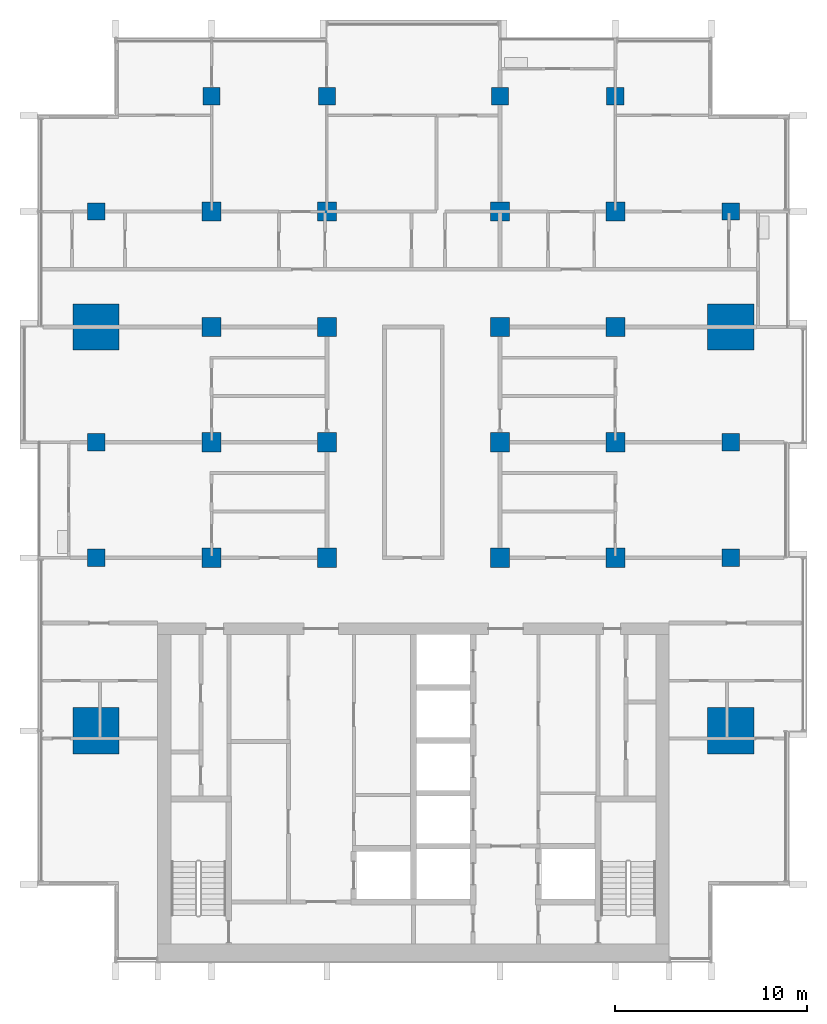
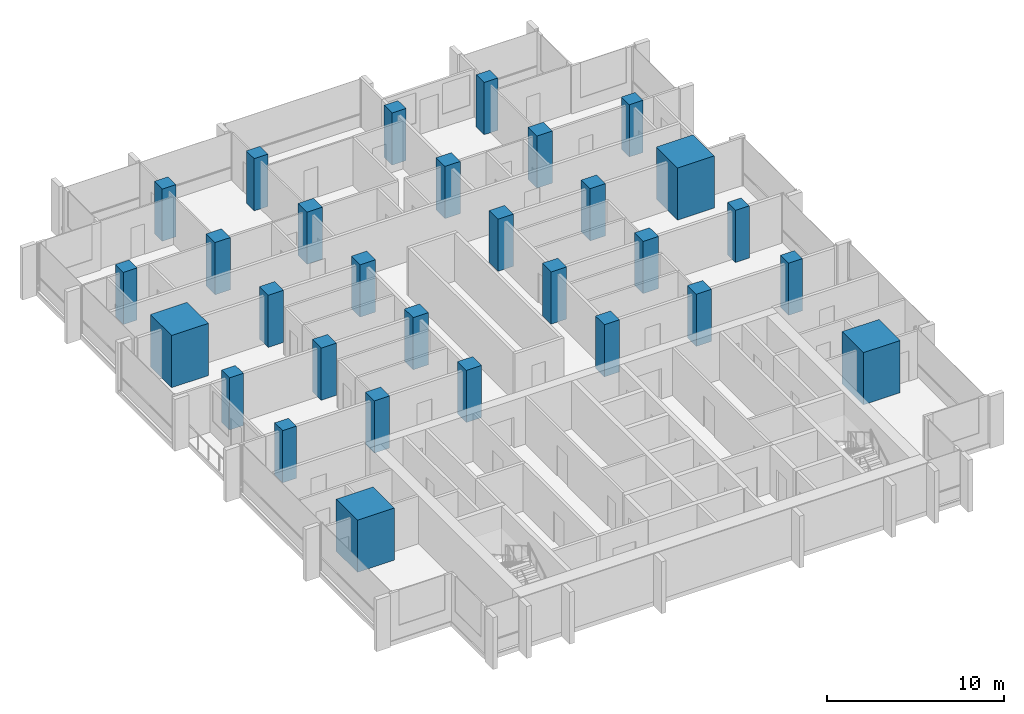
# One storey, part 1 of 16: 30 columns.
"""IFC4 building model written with IfcOpenShell, lengths in metres."""

from ifc_helpers import new_model, si_unit, direction, frame, origin, origin_2d, place, context, subcontext, project, spatial, rectangle, extrude, material, material_profile, profile_set, type_object, element, save


model = new_model("IFC4")

# Units and contexts
model_context = context("Model", 3, precision=1e-05, world=origin(), true_north=direction((0.0, 1.0)))
body_context = subcontext(model_context, "Body", "Model", "MODEL_VIEW")
ifc_project = project(units=[si_unit("LENGTHUNIT", "METRE"), si_unit("AREAUNIT", "SQUARE_METRE"), si_unit("VOLUMEUNIT", "CUBIC_METRE"), si_unit("PLANEANGLEUNIT", "RADIAN"), si_unit("MASSUNIT", "GRAM", prefix="KILO")], contexts=[model_context])

# Site, building, storey
site_placement = place(None, origin())
site = spatial("IfcSite", under=ifc_project, at=site_placement, CompositionType="ELEMENT")
building_placement = place(site_placement, origin())
building = spatial("IfcBuilding", under=site, at=building_placement, Name="Finial Court Residences", CompositionType="ELEMENT")
storey_placement = place(building_placement, frame((0.0, 0.0, 178.10009765625)))
storey = spatial("IfcBuildingStorey", under=building, at=storey_placement, Name="L44", CompositionType="ELEMENT", Elevation=178.10009765625)

# Columns
ifc_material = material(Name="Concrete C60/75", Category="concrete")
ifc_material_profile_1 = material_profile(ifc_material, rectangle(XDim=1.0, YDim=1.0, at=origin_2d()), Name="1000x1000")
ifc_profile_set_1 = profile_set([ifc_material_profile_1], Name="Concrete C60/75")
column_type_1 = type_object("IfcColumnType", Name="Interior column 1000x1000 Concrete C60/75", PredefinedType="COLUMN", material=ifc_profile_set_1)
for number, where, z_axis, x_axis, name in (
    (1, (-10.5, -4.5, 0.0), (0.0, 0.0, 1.0), (1.0, 0.0, 0.0), "S:COL:L44:D4"),
    (2, (-10.5, 1.5, 0.0), (0.0, 0.0, 1.0), (1.0, 0.0, 0.0), "S:COL:L44:D5"),
    (3, (-10.5, 7.5, 0.0), (0.0, 0.0, 1.0), (1.0, 0.0, 0.0), "S:COL:L44:D6"),
    (4, (-10.5, 13.5, 0.0), (0.0, 0.0, 1.0), (1.0, 0.0, 0.0), "S:COL:L44:D7"),
    (5, (-4.5, -4.5, 0.0), (0.0, 0.0, 1.0), (1.0, 0.0, 0.0), "S:COL:L44:E4"),
    (6, (-4.5, 1.5, 0.0), (0.0, 0.0, 1.0), (1.0, 0.0, 0.0), "S:COL:L44:E5"),
    (7, (-4.5, 7.5, 0.0), (0.0, 0.0, 1.0), (1.0, 0.0, 0.0), "S:COL:L44:E6"),
    (8, (-4.5, 13.5, 0.0), (0.0, 0.0, 1.0), (1.0, 0.0, 0.0), "S:COL:L44:E7"),
    (9, (4.5, -4.5, 0.0), (0.0, 0.0, 1.0), (1.0, 0.0, 0.0), "S:COL:L44:F4"),
    (10, (4.5, 1.5, 0.0), (0.0, 0.0, 1.0), (1.0, 0.0, 0.0), "S:COL:L44:F5"),
    (11, (4.5, 7.5, 0.0), (0.0, 0.0, 1.0), (1.0, 0.0, 0.0), "S:COL:L44:F6"),
    (12, (4.5, 13.5, 0.0), (0.0, 0.0, 1.0), (1.0, 0.0, 0.0), "S:COL:L44:F7"),
    (13, (10.5, -4.5, 0.0), (0.0, 0.0, 1.0), (1.0, 0.0, 0.0), "S:COL:L44:G4"),
    (14, (10.5, 1.5, 0.0), (0.0, 0.0, 1.0), (1.0, 0.0, 0.0), "S:COL:L44:G5"),
    (15, (10.5, 7.5, 0.0), (0.0, 0.0, 1.0), (1.0, 0.0, 0.0), "S:COL:L44:G6"),
    (16, (10.5, 13.5, 0.0), (0.0, 0.0, 1.0), (1.0, 0.0, 0.0), "S:COL:L44:G7"),
):
    element("IfcColumn", number, at=place(storey_placement, frame(where, z_axis=z_axis, x_axis=x_axis)), inside=storey, type_object=column_type_1, Name=name, PredefinedType="COLUMN", context=body_context, shape_type="SweptSolid", body=[
        extrude(rectangle(XDim=1.0, YDim=1.0, at=origin_2d()), origin(), (0.0, 0.0, 1.0), 3.599853515625),
    ])
ifc_material_profile_2 = material_profile(ifc_material, rectangle(XDim=2.39990234375, YDim=2.39990234375, at=origin_2d()), Name="2400x2400")
ifc_profile_set_2 = profile_set([ifc_material_profile_2], Name="Concrete C60/75")
column_type_2 = type_object("IfcColumnType", Name="Mega column 2400x2400 Concrete C60/75", PredefinedType="COLUMN", material=ifc_profile_set_2)
for number, where, z_axis, x_axis, name in (
    (17, (-16.5, -13.5, 0.0), (0.0, 0.0, 1.0), (1.0, 0.0, 0.0), "S:COL:L44:C3"),
    (18, (-16.5, 7.5, 0.0), (0.0, 0.0, 1.0), (1.0, 0.0, 0.0), "S:COL:L44:C6"),
    (19, (16.5, -13.5, 0.0), (0.0, 0.0, 1.0), (1.0, 0.0, 0.0), "S:COL:L44:H3"),
    (20, (16.5, 7.5, 0.0), (0.0, 0.0, 1.0), (1.0, 0.0, 0.0), "S:COL:L44:H6"),
):
    element("IfcColumn", number, at=place(storey_placement, frame(where, z_axis=z_axis, x_axis=x_axis)), inside=storey, type_object=column_type_2, Name=name, PredefinedType="COLUMN", context=body_context, shape_type="SweptSolid", body=[
        extrude(rectangle(XDim=2.39990234375, YDim=2.39990234375, at=origin_2d()), origin(), (0.0, 0.0, 1.0), 3.599853515625),
    ])
ifc_material_profile_3 = material_profile(ifc_material, rectangle(XDim=0.89990234375, YDim=0.89990234375, at=origin_2d()), Name="900x900")
ifc_profile_set_3 = profile_set([ifc_material_profile_3], Name="Concrete C60/75")
column_type_3 = type_object("IfcColumnType", Name="Perimeter column 900x900 Concrete C60/75", PredefinedType="COLUMN", material=ifc_profile_set_3)
for number, where, z_axis, x_axis, name in (
    (21, (-16.5, -4.5, 0.0), (0.0, 0.0, 1.0), (1.0, 0.0, 0.0), "S:COL:L44:C4"),
    (22, (-16.5, 1.5, 0.0), (0.0, 0.0, 1.0), (1.0, 0.0, 0.0), "S:COL:L44:C5"),
    (23, (-16.5, 13.5, 0.0), (0.0, 0.0, 1.0), (1.0, 0.0, 0.0), "S:COL:L44:C7"),
    (24, (-10.5, 19.5, 0.0), (0.0, 0.0, 1.0), (1.0, 0.0, 0.0), "S:COL:L44:D8"),
    (25, (-4.5, 19.5, 0.0), (0.0, 0.0, 1.0), (1.0, 0.0, 0.0), "S:COL:L44:E8"),
    (26, (4.5, 19.5, 0.0), (0.0, 0.0, 1.0), (1.0, 0.0, 0.0), "S:COL:L44:F8"),
    (27, (10.5, 19.5, 0.0), (0.0, 0.0, 1.0), (1.0, 0.0, 0.0), "S:COL:L44:G8"),
    (28, (16.5, -4.5, 0.0), (0.0, 0.0, 1.0), (1.0, 0.0, 0.0), "S:COL:L44:H4"),
    (29, (16.5, 1.5, 0.0), (0.0, 0.0, 1.0), (1.0, 0.0, 0.0), "S:COL:L44:H5"),
    (30, (16.5, 13.5, 0.0), (0.0, 0.0, 1.0), (1.0, 0.0, 0.0), "S:COL:L44:H7"),
):
    element("IfcColumn", number, at=place(storey_placement, frame(where, z_axis=z_axis, x_axis=x_axis)), inside=storey, type_object=column_type_3, Name=name, PredefinedType="COLUMN", context=body_context, shape_type="SweptSolid", body=[
        extrude(rectangle(XDim=0.89990234375, YDim=0.89990234375, at=origin_2d()), origin(), (0.0, 0.0, 1.0), 3.599853515625),
    ])

save(model, "model.ifc")
